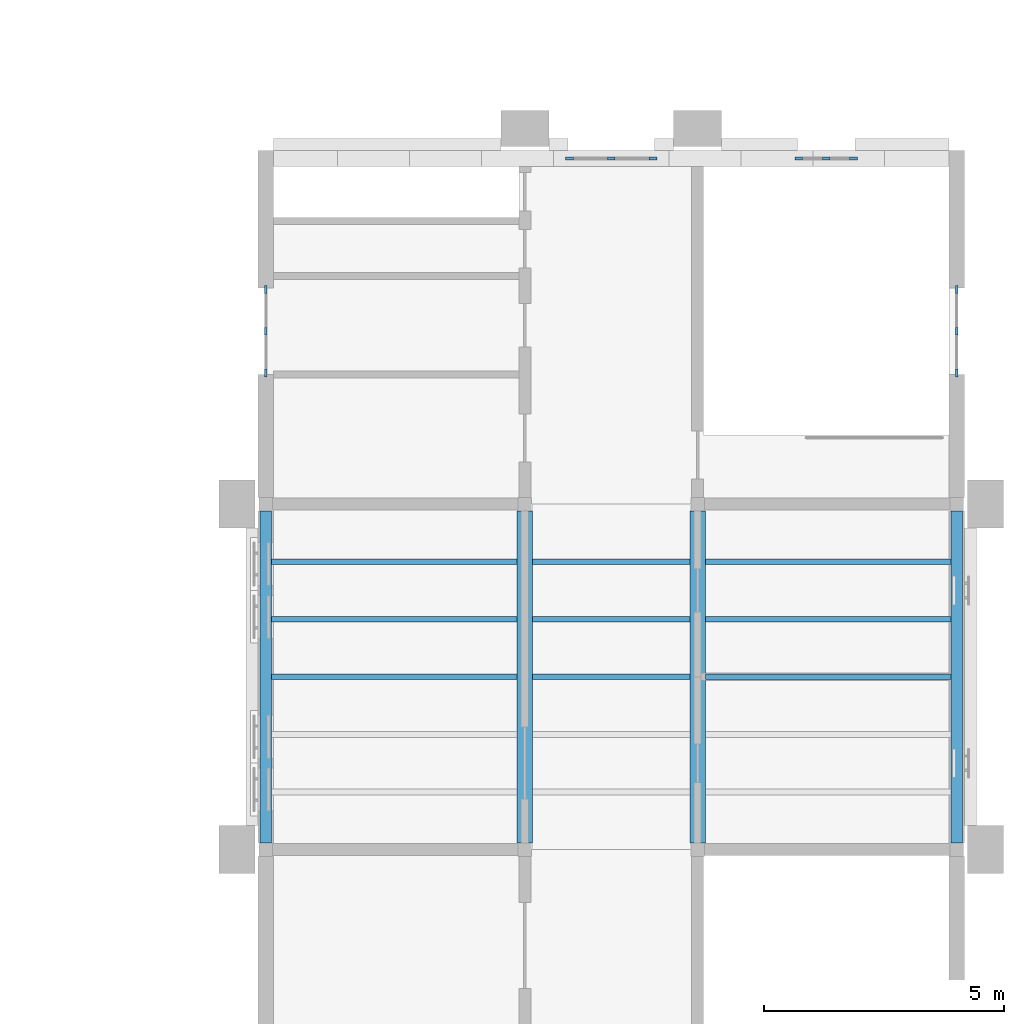
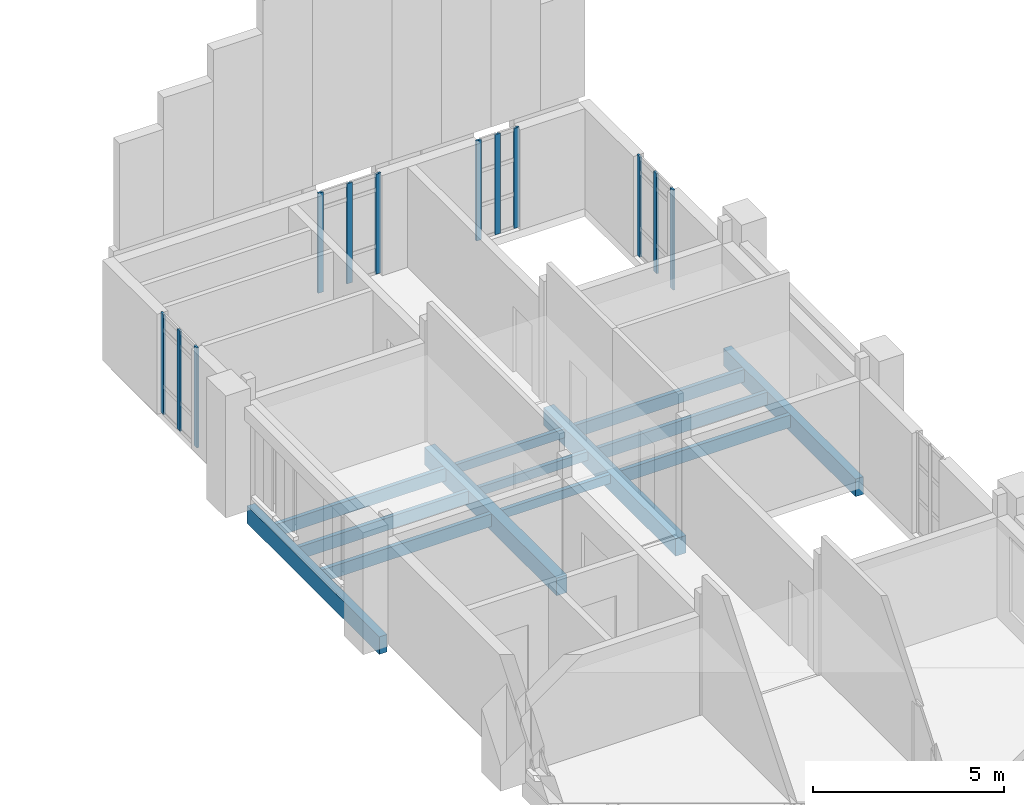
# One storey, part 20 of 71: 13 beams, 12 members, 4 elements without a shape of their own.
"""IFC4 building model written with IfcOpenShell, lengths in metres."""

from ifc_helpers import new_model, si_unit, direction, frame, origin, origin_2d, place, context, subcontext, project, spatial, rectangle, extrude, material, layer, layer_set, material_profile, profile_set, type_object, element, aggregate, save


model = new_model("IFC4")

# Units and contexts
model_context = context("Model", 3, precision=1e-05, world=origin(), true_north=direction((0.0, 1.0)))
body_context = subcontext(model_context, "Body", "Model", "MODEL_VIEW")
ifc_project = project(units=[si_unit("LENGTHUNIT", "METRE"), si_unit("AREAUNIT", "SQUARE_METRE"), si_unit("VOLUMEUNIT", "CUBIC_METRE"), si_unit("PLANEANGLEUNIT", "RADIAN"), si_unit("MASSUNIT", "GRAM", prefix="KILO")], contexts=[model_context])

# Site, building, storey
site_placement = place(None, origin())
site = spatial("IfcSite", under=ifc_project, at=site_placement, CompositionType="ELEMENT")
building_placement = place(site_placement, origin())
building = spatial("IfcBuilding", under=site, at=building_placement, Name="Mazhai Court Health Centre", CompositionType="ELEMENT")
storey_placement = place(building_placement, frame((0.0, 0.0, 10.199951171875)))
storey = spatial("IfcBuildingStorey", under=building, at=storey_placement, Name="L02", CompositionType="ELEMENT", Elevation=10.199951171875)

# Curtain wall, members
ifc_material_1 = material(Name="Teak timber frame, glazed", Category="wood")
ifc_layer_1 = layer(ifc_material_1, 0.10009765625)
ifc_layer_set_1 = layer_set([ifc_layer_1], Name="CURTAIN WALL TIMBER 900")
curtain_wall_type_1 = type_object("IfcCurtainWallType", Name="CURTAIN WALL TIMBER 900", PredefinedType="NOTDEFINED", material=ifc_layer_set_1)
curtain_wall_1_placement = place(storey_placement, origin())
curtain_wall_1 = element("IfcCurtainWall", 1, at=curtain_wall_1_placement, inside=storey, type_object=curtain_wall_type_1, Name="CW-V6-L02-A5", PredefinedType="NOTDEFINED")
ifc_material_2 = material(Name="Teak timber", Category="wood")
ifc_material_profile_1 = material_profile(ifc_material_2, rectangle(XDim=0.06005859375, YDim=0.159912109375, at=origin_2d()), Name="CW MULLION 60x160")
ifc_profile_set_1 = profile_set([ifc_material_profile_1], Name="Teak timber")
member_type = type_object("IfcMemberType", Name="CW MULLION 60x160", PredefinedType="MULLION", material=ifc_profile_set_1)
member_1_placement = place(storey_placement, frame((135.800048828125, 44.929931640625, 0.0), z_axis=(0.0, 0.0, 1.0), x_axis=(-1.0, 0.0, 0.0)))
member_1 = element("IfcMember", 2, at=member_1_placement, type_object=member_type, Name="CW mullion 1", PredefinedType="MULLION", context=body_context, shape_type="SweptSolid", body=[
    extrude(rectangle(XDim=0.06005859375, YDim=0.159912109375, at=origin_2d()), origin(), (0.0, 0.0, 1.0), 3.199951171875),
])
member_2_placement = place(storey_placement, frame((135.800048828125, 45.800048828125, 0.0), z_axis=(0.0, 0.0, 1.0), x_axis=(-1.0, 0.0, 0.0)))
member_2 = element("IfcMember", 3, at=member_2_placement, type_object=member_type, Name="CW mullion 2", PredefinedType="MULLION", context=body_context, shape_type="SweptSolid", body=[
    extrude(rectangle(XDim=0.06005859375, YDim=0.159912109375, at=origin_2d()), origin(), (0.0, 0.0, 1.0), 3.199951171875),
])
member_3_placement = place(storey_placement, frame((135.800048828125, 46.669921875, 0.0), z_axis=(0.0, 0.0, 1.0), x_axis=(-1.0, 0.0, 0.0)))
member_3 = element("IfcMember", 4, at=member_3_placement, type_object=member_type, Name="CW mullion 3", PredefinedType="MULLION", context=body_context, shape_type="SweptSolid", body=[
    extrude(rectangle(XDim=0.06005859375, YDim=0.159912109375, at=origin_2d()), origin(), (0.0, 0.0, 1.0), 3.199951171875),
])
aggregate(curtain_wall_1, [member_1, member_2, member_3])

curtain_wall_2_placement = place(storey_placement, origin())
curtain_wall_2 = element("IfcCurtainWall", 5, at=curtain_wall_2_placement, inside=storey, type_object=curtain_wall_type_1, Name="CW-V6-L02-B5", PredefinedType="NOTDEFINED")
member_4_placement = place(storey_placement, frame((150.199951171875, 46.669921875, 0.0), z_axis=(0.0, 0.0, 1.0), x_axis=(1.0, 0.0, 0.0)))
member_4 = element("IfcMember", 6, at=member_4_placement, type_object=member_type, Name="CW mullion 1", PredefinedType="MULLION", context=body_context, shape_type="SweptSolid", body=[
    extrude(rectangle(XDim=0.06005859375, YDim=0.159912109375, at=origin_2d()), origin(), (0.0, 0.0, 1.0), 3.199951171875),
])
member_5_placement = place(storey_placement, frame((150.199951171875, 45.800048828125, 0.0), z_axis=(0.0, 0.0, 1.0), x_axis=(1.0, 0.0, 0.0)))
member_5 = element("IfcMember", 7, at=member_5_placement, type_object=member_type, Name="CW mullion 2", PredefinedType="MULLION", context=body_context, shape_type="SweptSolid", body=[
    extrude(rectangle(XDim=0.06005859375, YDim=0.159912109375, at=origin_2d()), origin(), (0.0, 0.0, 1.0), 3.199951171875),
])
member_6_placement = place(storey_placement, frame((150.199951171875, 44.929931640625, 0.0), z_axis=(0.0, 0.0, 1.0), x_axis=(1.0, 0.0, 0.0)))
member_6 = element("IfcMember", 8, at=member_6_placement, type_object=member_type, Name="CW mullion 3", PredefinedType="MULLION", context=body_context, shape_type="SweptSolid", body=[
    extrude(rectangle(XDim=0.06005859375, YDim=0.159912109375, at=origin_2d()), origin(), (0.0, 0.0, 1.0), 3.199951171875),
])
aggregate(curtain_wall_2, [member_4, member_5, member_6])

curtain_wall_3_placement = place(storey_placement, origin())
curtain_wall_3 = element("IfcCurtainWall", 9, at=curtain_wall_3_placement, inside=storey, type_object=curtain_wall_type_1, Name="CW-V6-L02-ELIFT0", PredefinedType="NOTDEFINED")
member_7_placement = place(storey_placement, frame((142.1298828125, 49.39990234375, 0.0), z_axis=(0.0, 0.0, 1.0), x_axis=(0.0, 1.0, 0.0)))
member_7 = element("IfcMember", 10, at=member_7_placement, type_object=member_type, Name="CW mullion 1", PredefinedType="MULLION", context=body_context, shape_type="SweptSolid", body=[
    extrude(rectangle(XDim=0.06005859375, YDim=0.159912109375, at=origin_2d()), origin(), (0.0, 0.0, 1.0), 3.199951171875),
])
member_8_placement = place(storey_placement, frame((143.0, 49.39990234375, 0.0), z_axis=(0.0, 0.0, 1.0), x_axis=(0.0, 1.0, 0.0)))
member_8 = element("IfcMember", 11, at=member_8_placement, type_object=member_type, Name="CW mullion 2", PredefinedType="MULLION", context=body_context, shape_type="SweptSolid", body=[
    extrude(rectangle(XDim=0.06005859375, YDim=0.159912109375, at=origin_2d()), origin(), (0.0, 0.0, 1.0), 3.199951171875),
])
member_9_placement = place(storey_placement, frame((143.8701171875, 49.39990234375, 0.0), z_axis=(0.0, 0.0, 1.0), x_axis=(0.0, 1.0, 0.0)))
member_9 = element("IfcMember", 12, at=member_9_placement, type_object=member_type, Name="CW mullion 3", PredefinedType="MULLION", context=body_context, shape_type="SweptSolid", body=[
    extrude(rectangle(XDim=0.06005859375, YDim=0.159912109375, at=origin_2d()), origin(), (0.0, 0.0, 1.0), 3.199951171875),
])
aggregate(curtain_wall_3, [member_7, member_8, member_9])

ifc_material_3 = material(Name="Teak timber frame, glazed", Category="wood")
ifc_layer_2 = layer(ifc_material_3, 0.10009765625)
ifc_layer_set_2 = layer_set([ifc_layer_2], Name="CURTAIN WALL TIMBER 600")
curtain_wall_type_2 = type_object("IfcCurtainWallType", Name="CURTAIN WALL TIMBER 600", PredefinedType="NOTDEFINED", material=ifc_layer_set_2)
curtain_wall_4_placement = place(storey_placement, origin())
curtain_wall_4 = element("IfcCurtainWall", 13, at=curtain_wall_4_placement, inside=storey, type_object=curtain_wall_type_2, Name="CW-V6-L02-ESTAIR1", PredefinedType="NOTDEFINED")
member_10_placement = place(storey_placement, frame((146.909912109375, 49.39990234375, 0.0), z_axis=(0.0, 0.0, 1.0), x_axis=(0.0, 1.0, 0.0)))
member_10 = element("IfcMember", 14, at=member_10_placement, type_object=member_type, Name="CW mullion 1", PredefinedType="MULLION", context=body_context, shape_type="SweptSolid", body=[
    extrude(rectangle(XDim=0.06005859375, YDim=0.159912109375, at=origin_2d()), origin(), (0.0, 0.0, 1.0), 3.199951171875),
])
member_11_placement = place(storey_placement, frame((147.47998046875, 49.39990234375, 0.0), z_axis=(0.0, 0.0, 1.0), x_axis=(0.0, 1.0, 0.0)))
member_11 = element("IfcMember", 15, at=member_11_placement, type_object=member_type, Name="CW mullion 2", PredefinedType="MULLION", context=body_context, shape_type="SweptSolid", body=[
    extrude(rectangle(XDim=0.06005859375, YDim=0.159912109375, at=origin_2d()), origin(), (0.0, 0.0, 1.0), 3.199951171875),
])
member_12_placement = place(storey_placement, frame((148.050048828125, 49.39990234375, 0.0), z_axis=(0.0, 0.0, 1.0), x_axis=(0.0, 1.0, 0.0)))
member_12 = element("IfcMember", 16, at=member_12_placement, type_object=member_type, Name="CW mullion 3", PredefinedType="MULLION", context=body_context, shape_type="SweptSolid", body=[
    extrude(rectangle(XDim=0.06005859375, YDim=0.159912109375, at=origin_2d()), origin(), (0.0, 0.0, 1.0), 3.199951171875),
])
aggregate(curtain_wall_4, [member_10, member_11, member_12])

# Beams
ifc_material_4 = material(Name="Glulam GL24h", Category="wood")
ifc_material_profile_2 = material_profile(ifc_material_4, rectangle(XDim=0.1201171875, YDim=0.280029296875, at=origin_2d()), Name="GL24h 120x280")
ifc_profile_set_2 = profile_set([ifc_material_profile_2], Name="Glulam GL24h")
beam_type_1 = type_object("IfcBeamType", Name="GL24h 120x280 joist", PredefinedType="JOIST", material=ifc_profile_set_2)
for number, where, z_axis, x_axis, name in (
    (17, (141.360107421875, 38.60009765625, -0.260009765625), (1.0, 0.0, 0.0), (0.0, 1.0, 0.0), "joist-V6-L02-4-B3"),
    (18, (141.360107421875, 39.800048828125, -0.260009765625), (1.0, 0.0, 0.0), (0.0, 1.0, 0.0), "joist-V6-L02-4-B4"),
    (19, (141.360107421875, 41.0, -0.260009765625), (1.0, 0.0, 0.0), (0.0, 1.0, 0.0), "joist-V6-L02-4-B5"),
):
    element("IfcBeam", number, at=place(storey_placement, frame(where, z_axis=z_axis, x_axis=x_axis)), inside=storey, type_object=beam_type_1, Name=name, PredefinedType="JOIST", context=body_context, shape_type="SweptSolid", body=[
        extrude(rectangle(XDim=0.1201171875, YDim=0.280029296875, at=origin_2d()), origin(), (0.0, 0.0, 1.0), 3.27978515625),
    ])
ifc_material_5 = material(Name="Glulam GL24h", Category="wood")
ifc_material_profile_3 = material_profile(ifc_material_5, rectangle(XDim=0.1201171875, YDim=0.39990234375, at=origin_2d()), Name="GL24h 120x400")
ifc_profile_set_3 = profile_set([ifc_material_profile_3], Name="Glulam GL24h")
beam_type_2 = type_object("IfcBeamType", Name="GL24h 120x400 joist", PredefinedType="JOIST", material=ifc_profile_set_3)
for number, where, z_axis, x_axis, name in (
    (20, (135.919921875, 38.60009765625, -0.320068359375), (1.0, 0.0, 0.0), (0.0, 1.0, 0.0), "joist-V6-L02-4-A3"),
    (21, (135.919921875, 39.800048828125, -0.320068359375), (1.0, 0.0, 0.0), (0.0, 1.0, 0.0), "joist-V6-L02-4-A4"),
    (22, (135.919921875, 41.0, -0.320068359375), (1.0, 0.0, 0.0), (0.0, 1.0, 0.0), "joist-V6-L02-4-A5"),
    (23, (144.9599609375, 38.60009765625, -0.320068359375), (1.0, 0.0, 0.0), (0.0, 1.0, 0.0), "joist-V6-L02-4-C3"),
    (24, (144.9599609375, 39.800048828125, -0.320068359375), (1.0, 0.0, 0.0), (0.0, 1.0, 0.0), "joist-V6-L02-4-C4"),
    (25, (144.9599609375, 41.0, -0.320068359375), (1.0, 0.0, 0.0), (0.0, 1.0, 0.0), "joist-V6-L02-4-C5"),
):
    element("IfcBeam", number, at=place(storey_placement, frame(where, z_axis=z_axis, x_axis=x_axis)), inside=storey, type_object=beam_type_2, Name=name, PredefinedType="JOIST", context=body_context, shape_type="SweptSolid", body=[
        extrude(rectangle(XDim=0.1201171875, YDim=0.39990234375, at=origin_2d()), origin(), (0.0, 0.0, 1.0), 5.1201171875),
    ])
ifc_material_6 = material(Name="Glulam GL28h", Category="wood")
ifc_material_profile_4 = material_profile(ifc_material_6, rectangle(XDim=0.239990234375, YDim=0.56005859375, at=origin_2d()), Name="GL28h 240x560")
ifc_profile_set_4 = profile_set([ifc_material_profile_4], Name="Glulam GL28h")
beam_type_3 = type_object("IfcBeamType", Name="GL28h 240x560 beam", PredefinedType="BEAM", material=ifc_profile_set_4)
for number, where, z_axis, x_axis, name in (
    (26, (135.800048828125, 35.139892578125, -0.39990234375), (0.0, 1.0, 0.0), (-1.0, 0.0, 0.0), "beam-V6-L02-4-A"),
    (27, (150.199951171875, 35.139892578125, -0.39990234375), (0.0, 1.0, 0.0), (-1.0, 0.0, 0.0), "beam-V6-L02-4-D"),
):
    element("IfcBeam", number, at=place(storey_placement, frame(where, z_axis=z_axis, x_axis=x_axis)), inside=storey, type_object=beam_type_3, Name=name, PredefinedType="BEAM", context=body_context, shape_type="SweptSolid", body=[
        extrude(rectangle(XDim=0.239990234375, YDim=0.56005859375, at=origin_2d()), origin(), (0.0, 0.0, 1.0), 6.920166015625),
    ])
ifc_material_7 = material(Name="Glulam GL28h", Category="wood")
ifc_material_profile_5 = material_profile(ifc_material_7, rectangle(XDim=0.320068359375, YDim=0.56005859375, at=origin_2d()), Name="GL28h 320x560")
ifc_profile_set_5 = profile_set([ifc_material_profile_5], Name="Glulam GL28h")
beam_type_4 = type_object("IfcBeamType", Name="GL28h 320x560 beam", PredefinedType="BEAM", material=ifc_profile_set_5)
for number, where, z_axis, x_axis, name in (
    (28, (141.199951171875, 35.139892578125, -0.39990234375), (0.0, 1.0, 0.0), (-1.0, 0.0, 0.0), "beam-V6-L02-4-B"),
    (29, (144.800048828125, 35.139892578125, -0.39990234375), (0.0, 1.0, 0.0), (-1.0, 0.0, 0.0), "beam-V6-L02-4-C"),
):
    element("IfcBeam", number, at=place(storey_placement, frame(where, z_axis=z_axis, x_axis=x_axis)), inside=storey, type_object=beam_type_4, Name=name, PredefinedType="BEAM", context=body_context, shape_type="SweptSolid", body=[
        extrude(rectangle(XDim=0.320068359375, YDim=0.56005859375, at=origin_2d()), origin(), (0.0, 0.0, 1.0), 6.920166015625),
    ])

save(model, "model.ifc")
